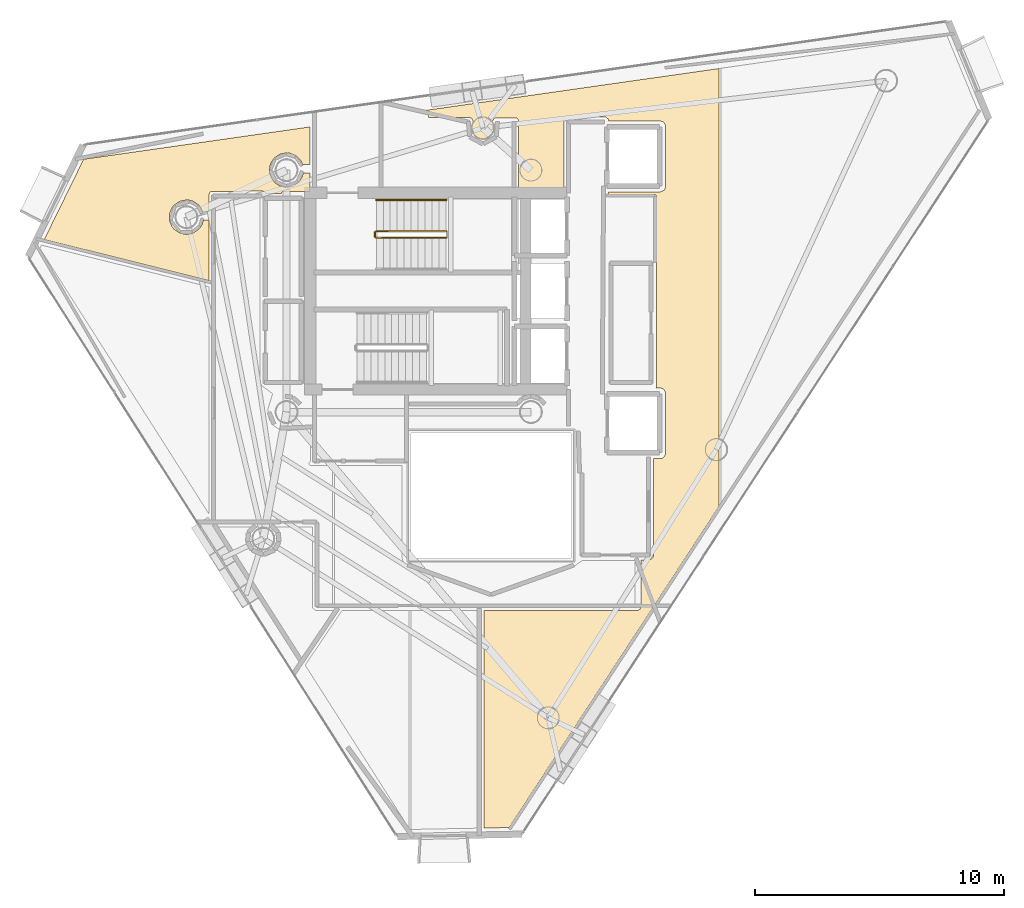
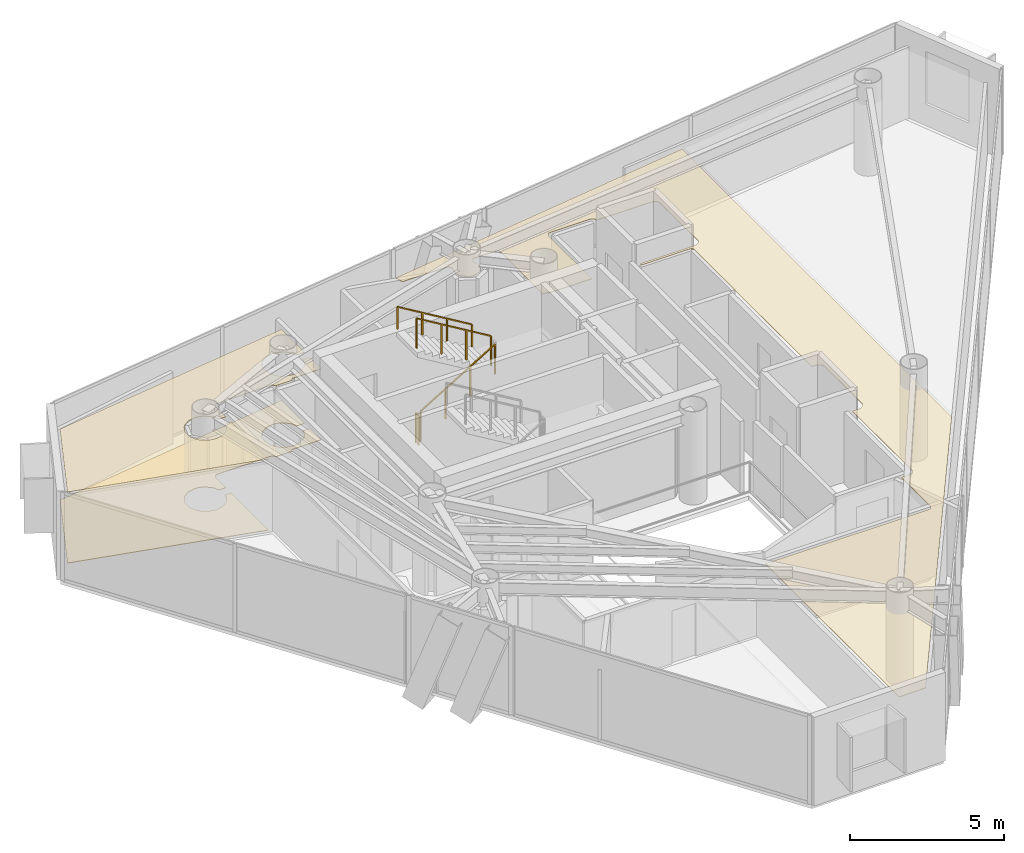
# One storey, part 24 of 25: 4 railings, 3 coverings.
"""IFC4 building model written with IfcOpenShell, lengths in metres."""

from ifc_helpers import new_model, si_unit, direction, frame, origin, origin_2d, place, context, subcontext, project, spatial, polyline, rectangle, outline, extrude, material, layer, layer_set, type_object, element, save


model = new_model("IFC4")

# Units and contexts
model_context = context("Model", 3, precision=1e-05, world=origin(), true_north=direction((0.0, 1.0)))
body_context = subcontext(model_context, "Body", "Model", "MODEL_VIEW")
ifc_project = project(units=[si_unit("LENGTHUNIT", "METRE"), si_unit("AREAUNIT", "SQUARE_METRE"), si_unit("VOLUMEUNIT", "CUBIC_METRE"), si_unit("PLANEANGLEUNIT", "RADIAN"), si_unit("MASSUNIT", "GRAM", prefix="KILO")], contexts=[model_context])

# Site, building, storey
site_placement = place(None, origin())
site = spatial("IfcSite", under=ifc_project, at=site_placement, CompositionType="ELEMENT")
building_placement = place(site_placement, origin())
building = spatial("IfcBuilding", under=site, at=building_placement, Name="Qianvela Tower", CompositionType="ELEMENT")
storey_placement = place(building_placement, frame((0.0, 0.0, 291.699951171875)))
storey = spatial("IfcBuildingStorey", under=building, at=storey_placement, Name="L75", CompositionType="ELEMENT", Elevation=291.699951171875)

# Coverings
ifc_material_1 = material(Name="Perforated Mineral Acoustic Ceiling Tile")
ifc_layer_1 = layer(ifc_material_1, 0.02490234375)
ifc_layer_set_1 = layer_set([ifc_layer_1], Name="Perforated Mineral Acoustic Ceiling Tile")
covering_type_1 = type_object("IfcCoveringType", Name="COV-CEIL-ACOUSTIC-25", PredefinedType="CEILING", material=ifc_layer_set_1)
covering_1_placement = place(storey_placement, frame((0.0, 0.0, 2.81494140625)))
element("IfcCovering", 1, at=covering_1_placement, inside=storey, type_object=covering_type_1, Name="L75 Acoustic Ceiling Bay 1 Campus Convenience Shop L75-03", PredefinedType="CEILING", context=body_context, shape_type="SweptSolid", body=[
    extrude(outline(polyline([(42.744384765625, 15.9228515625), (42.7509765625, 15.927001953125), (42.75732421875, 15.931640625), (42.76318359375, 15.93701171875), (42.768310546875, 15.942626953125), (42.773193359375, 15.948974609375), (42.777099609375, 15.955810546875), (42.780517578125, 15.962890625), (42.803955078125, 16.019287109375), (42.806640625, 16.02685546875), (42.80859375, 16.034423828125), (42.8095703125, 16.042236328125), (42.81005859375, 16.050048828125), (42.8076171875, 17.920166015625), (43.157958984375, 17.92041015625), (43.165771484375, 17.9208984375), (43.173583984375, 17.921875), (43.18115234375, 17.923828125), (43.1884765625, 17.926513671875), (43.195556640625, 17.9296875), (43.202392578125, 17.933837890625), (43.20849609375, 17.938720703125), (43.21435546875, 17.94384765625), (43.2861328125, 18.015625), (43.29150390625, 18.021484375), (43.296142578125, 18.027587890625), (43.30029296875, 18.034423828125), (43.303466796875, 18.04150390625), (43.30615234375, 18.048828125), (43.30810546875, 18.056640625), (43.30908203125, 18.064208984375), (43.3095703125, 18.072265625), (43.309326171875, 21.980712890625), (43.60791015625, 21.982666015625), (43.615478515625, 21.983154296875), (43.623291015625, 21.984375), (43.630859375, 21.986083984375), (43.637939453125, 21.98876953125), (43.64501953125, 21.9921875), (43.716796875, 22.030517578125), (43.723388671875, 22.034423828125), (43.729736328125, 22.039306640625), (43.735595703125, 22.04443359375), (43.74072265625, 22.05029296875), (43.74560546875, 22.056640625), (43.74951171875, 22.063232421875), (43.787841796875, 22.135009765625), (43.791259765625, 22.14208984375), (43.7939453125, 22.1494140625), (43.7958984375, 22.156982421875), (43.796875, 22.164794921875), (43.79736328125, 22.172607421875), (43.79931640625, 24.61376953125), (43.799072265625, 24.62060546875), (43.798095703125, 24.627685546875), (43.79638671875, 24.634765625), (43.79443359375, 24.641357421875), (43.79150390625, 24.64794921875), (43.751220703125, 24.733154296875), (43.74755859375, 24.739990234375), (43.743408203125, 24.74658203125), (43.73828125, 24.752685546875), (43.732666015625, 24.75830078125), (43.726806640625, 24.76318359375), (43.72021484375, 24.767578125), (43.713134765625, 24.771240234375), (43.6279296875, 24.8115234375), (43.619873046875, 24.81494140625), (43.611328125, 24.8173828125), (43.6025390625, 24.81884765625), (43.59375, 24.8193359375), (43.423828125, 24.8193359375), (43.423828125, 24.8193359375), (43.426513671875, 24.826904296875), (43.428466796875, 24.83447265625), (43.4296875, 24.84228515625), (43.429931640625, 24.85009765625), (43.429931640625, 32.5), (43.4296875, 32.5078125), (43.428466796875, 32.515625), (43.426513671875, 32.523193359375), (43.423828125, 32.530517578125), (43.420654296875, 32.53759765625), (43.41650390625, 32.54443359375), (43.411865234375, 32.55078125), (43.406494140625, 32.556640625), (43.40087890625, 32.561767578125), (43.394287109375, 32.56640625), (43.3876953125, 32.570556640625), (43.380615234375, 32.573974609375), (43.373291015625, 32.57666015625), (43.365478515625, 32.57861328125), (43.35791015625, 32.57958984375), (43.35009765625, 32.580078125), (41.52001953125, 32.580078125), (41.52001953125, 32.679931640625), (43.580078125, 32.679931640625), (43.587158203125, 32.680419921875), (43.593994140625, 32.68115234375), (43.60107421875, 32.682861328125), (43.607666015625, 32.684814453125), (43.6142578125, 32.687744140625), (43.722412109375, 32.739013671875), (43.729248046875, 32.74267578125), (43.73583984375, 32.746826171875), (43.741943359375, 32.751953125), (43.74755859375, 32.757568359375), (43.75244140625, 32.763427734375), (43.7568359375, 32.77001953125), (43.760498046875, 32.777099609375), (43.763427734375, 32.7841796875), (43.79541015625, 32.873046875), (43.79736328125, 32.879638671875), (43.798828125, 32.886474609375), (43.7998046875, 32.893310546875), (43.800048828125, 32.900390625), (43.789306640625, 35.35400390625), (43.788818359375, 35.36181640625), (43.787841796875, 35.369384765625), (43.785888671875, 35.376953125), (43.783203125, 35.38427734375), (43.77978515625, 35.391357421875), (43.77587890625, 35.398193359375), (43.771240234375, 35.404296875), (43.719482421875, 35.46728515625), (43.71435546875, 35.472900390625), (43.70849609375, 35.478271484375), (43.7021484375, 35.48291015625), (43.695556640625, 35.487060546875), (43.6884765625, 35.490234375), (43.680908203125, 35.492919921875), (43.603271484375, 35.5166015625), (43.595703125, 35.5185546875), (43.587890625, 35.51953125), (43.580078125, 35.52001953125), (41.515625, 35.52001953125), (41.513916015625, 35.554931640625), (41.512939453125, 35.562744140625), (41.511474609375, 35.5703125), (41.509033203125, 35.577880859375), (41.506103515625, 35.585205078125), (41.50244140625, 35.591796875), (41.498046875, 35.598388671875), (41.4931640625, 35.6044921875), (41.487548828125, 35.60986328125), (41.481689453125, 35.614990234375), (41.41552734375, 35.663818359375), (41.409423828125, 35.66796875), (41.40283203125, 35.67138671875), (41.396240234375, 35.67431640625), (41.38916015625, 35.6767578125), (41.382080078125, 35.67822265625), (41.374755859375, 35.67919921875), (41.367431640625, 35.6796875), (39.841796875, 35.670654296875), (39.83349609375, 35.670166015625), (39.825439453125, 35.668701171875), (39.817626953125, 35.666748046875), (39.81005859375, 35.663818359375), (39.802490234375, 35.659912109375), (39.795654296875, 35.655517578125), (39.789306640625, 35.650390625), (39.783447265625, 35.644775390625), (39.7783203125, 35.638427734375), (39.773681640625, 35.631591796875), (39.7314453125, 35.56103515625), (39.727294921875, 35.553466796875), (39.72412109375, 35.54541015625), (39.721923828125, 35.537109375), (39.720458984375, 35.528564453125), (39.719970703125, 35.52001953125), (39.719970703125, 32.719970703125), (38.129150390625, 32.719970703125), (38.068115234375, 32.756103515625), (38.060791015625, 32.760009765625), (38.052978515625, 32.76318359375), (38.044921875, 32.765380859375), (38.03662109375, 32.766845703125), (38.0283203125, 32.767333984375), (37.907470703125, 32.768798828125), (37.909912109375, 35.5), (37.90966796875, 35.507080078125), (37.90869140625, 35.513916015625), (37.9072265625, 35.52099609375), (37.905029296875, 35.527587890625), (37.90234375, 35.5341796875), (37.873046875, 35.595947265625), (37.869140625, 35.603271484375), (37.864501953125, 35.610107421875), (37.859375, 35.6162109375), (37.853515625, 35.6220703125), (37.84716796875, 35.626953125), (37.840087890625, 35.63134765625), (37.8330078125, 35.635009765625), (37.8251953125, 35.637939453125), (37.8173828125, 35.64013671875), (37.809326171875, 35.641357421875), (37.80126953125, 35.641845703125), (36.982421875, 35.64599609375), (36.974365234375, 35.645751953125), (36.96630859375, 35.64453125), (36.95849609375, 35.642578125), (36.950927734375, 35.639892578125), (36.94384765625, 35.636474609375), (36.93701171875, 35.63232421875), (36.930419921875, 35.62744140625), (36.9248046875, 35.6220703125), (36.919189453125, 35.615966796875), (36.914794921875, 35.609619140625), (36.91064453125, 35.6025390625), (36.875732421875, 35.5341796875), (36.87255859375, 35.527099609375), (36.8701171875, 35.51953125), (36.8681640625, 35.511962890625), (36.8671875, 35.504150390625), (36.866943359375, 35.49609375), (36.86767578125, 35.48828125), (36.868896484375, 35.48046875), (36.92431640625, 35.23291015625), (36.91748046875, 35.163330078125), (36.84765625, 34.99462890625), (36.72705078125, 34.874267578125), (36.4755859375, 34.796142578125), (36.305419921875, 34.830078125), (36.10302734375, 34.998291015625), (36.03466796875, 35.163330078125), (36.02783203125, 35.23291015625), (36.0830078125, 35.48046875), (36.08447265625, 35.48779296875), (36.0849609375, 35.4951171875), (36.0849609375, 35.502685546875), (36.083984375, 35.510009765625), (36.08251953125, 35.517333984375), (36.08056640625, 35.5244140625), (36.07763671875, 35.53125), (36.07421875, 35.537841796875), (36.03271484375, 35.610107421875), (36.028564453125, 35.61669921875), (36.02392578125, 35.62255859375), (36.0185546875, 35.6279296875), (36.012939453125, 35.633056640625), (36.0068359375, 35.637451171875), (36.000244140625, 35.64111328125), (35.993408203125, 35.644287109375), (35.986083984375, 35.64697265625), (35.978759765625, 35.648681640625), (35.97119140625, 35.64990234375), (35.9638671875, 35.650146484375), (34.30078125, 35.65966796875), (34.208740234375, 35.94921875), (45.9453125, 37.625244140625), (45.9453125, 20.068359375), (37.52587890625, 7.18603515625), (36.52294921875, 7.166748046875), (36.52294921875, 15.889892578125), (42.64990234375, 15.889892578125), (42.65771484375, 15.890380859375), (42.66552734375, 15.8916015625), (42.673095703125, 15.893310546875), (42.6806640625, 15.89599609375), (42.7373046875, 15.91943359375), (42.744384765625, 15.9228515625)])), origin(), (0.0, 0.0, 1.0), 0.025146484375),
])
covering_2_placement = place(storey_placement, frame((0.0, 0.0, 2.81494140625)))
element("IfcCovering", 2, at=covering_2_placement, inside=storey, type_object=covering_type_1, Name="L75 Acoustic Ceiling Student Bookshop Market L75-04", PredefinedType="CEILING", context=body_context, shape_type="SweptSolid", body=[
    extrude(outline(polyline([(29.5400390625, 32.699951171875), (28.47998046875, 32.699951171875), (28.47216796875, 32.69970703125), (28.464111328125, 32.698486328125), (28.45654296875, 32.696533203125), (28.44921875, 32.69384765625), (28.44189453125, 32.690185546875), (28.43505859375, 32.686279296875), (28.4287109375, 32.681396484375), (28.4228515625, 32.676025390625), (28.417724609375, 32.670166015625), (28.4130859375, 32.663818359375), (28.408935546875, 32.656982421875), (28.40576171875, 32.649658203125), (28.403076171875, 32.64208984375), (28.4013671875, 32.634521484375), (28.400390625, 32.62646484375), (28.39892578125, 32.609619140625), (27.7626953125, 32.607666015625), (27.759521484375, 32.6201171875), (27.757080078125, 32.62744140625), (27.754150390625, 32.634765625), (27.75048828125, 32.6416015625), (27.74609375, 32.648193359375), (27.7412109375, 32.654296875), (27.735595703125, 32.659912109375), (27.7294921875, 32.6650390625), (27.722900390625, 32.66943359375), (27.716064453125, 32.673095703125), (27.654296875, 32.702392578125), (27.647705078125, 32.705078125), (27.640625, 32.707275390625), (27.633544921875, 32.708740234375), (27.62646484375, 32.709716796875), (27.619384765625, 32.7099609375), (25.598388671875, 32.69189453125), (25.59033203125, 32.69140625), (25.58251953125, 32.68994140625), (25.574462890625, 32.68798828125), (25.56689453125, 32.68505859375), (25.5595703125, 32.681396484375), (25.552734375, 32.677001953125), (25.54638671875, 32.671875), (25.54052734375, 32.666259765625), (25.535400390625, 32.659912109375), (25.53076171875, 32.6533203125), (25.52685546875, 32.64599609375), (25.497802734375, 32.584228515625), (25.494384765625, 32.575927734375), (25.491943359375, 32.5673828125), (25.490478515625, 32.558837890625), (25.489990234375, 32.550048828125), (25.489990234375, 31.894775390625), (25.22802734375, 31.89404296875), (25.16748046875, 32.03369140625), (25.164306640625, 32.040283203125), (25.160400390625, 32.046630859375), (25.156005859375, 32.052490234375), (25.080078125, 32.14501953125), (25.074951171875, 32.15087890625), (25.069091796875, 32.15625), (25.062744140625, 32.160888671875), (24.864990234375, 32.293212890625), (24.858154296875, 32.297119140625), (24.85107421875, 32.300537109375), (24.84375, 32.302978515625), (24.729248046875, 32.337890625), (24.7216796875, 32.339599609375), (24.7138671875, 32.3408203125), (24.5947265625, 32.3525390625), (24.5869140625, 32.35302734375), (24.5791015625, 32.3525390625), (24.5712890625, 32.3515625), (24.337890625, 32.304931640625), (24.330322265625, 32.302978515625), (24.322998046875, 32.300537109375), (24.31591796875, 32.297119140625), (24.30908203125, 32.293212890625), (24.111083984375, 32.160888671875), (24.10498046875, 32.15625), (24.09912109375, 32.15087890625), (24.09375, 32.14501953125), (24.01806640625, 32.052490234375), (24.01318359375, 32.04638671875), (24.00927734375, 32.03955078125), (24.005859375, 32.032470703125), (23.914794921875, 31.8125), (23.912109375, 31.80517578125), (23.910400390625, 31.797607421875), (23.9091796875, 31.789794921875), (23.90869140625, 31.781982421875), (23.90869140625, 31.5439453125), (23.9091796875, 31.5361328125), (23.910400390625, 31.5283203125), (23.912109375, 31.520751953125), (23.914794921875, 31.513427734375), (24.005859375, 31.29345703125), (24.00927734375, 31.286376953125), (24.01318359375, 31.27978515625), (24.01806640625, 31.2734375), (24.09375, 31.180908203125), (24.09912109375, 31.175048828125), (24.10498046875, 31.169921875), (24.111083984375, 31.1650390625), (24.30908203125, 31.032958984375), (24.31591796875, 31.02880859375), (24.322998046875, 31.025390625), (24.330322265625, 31.02294921875), (24.337890625, 31.02099609375), (24.5712890625, 30.974609375), (24.5791015625, 30.973388671875), (24.5869140625, 30.972900390625), (24.5947265625, 30.973388671875), (24.6025390625, 30.974609375), (24.8359375, 31.02099609375), (24.84375, 31.02294921875), (24.85107421875, 31.025390625), (24.858154296875, 31.02880859375), (24.864990234375, 31.032958984375), (25.062744140625, 31.1650390625), (25.069091796875, 31.169921875), (25.074951171875, 31.175048828125), (25.080078125, 31.180908203125), (25.156005859375, 31.2734375), (25.16064453125, 31.27978515625), (25.164794921875, 31.286376953125), (25.22119140625, 31.391845703125), (25.224365234375, 31.398681640625), (25.226806640625, 31.405517578125), (25.228759765625, 31.412841796875), (25.2587890625, 31.55419921875), (25.489990234375, 31.5546875), (25.489990234375, 29.1201171875), (18.885498046875, 30.766845703125), (20.465087890625, 33.986572265625), (29.5400390625, 35.282470703125), (29.5400390625, 33.781982421875), (29.2412109375, 33.781005859375), (29.1806640625, 33.920654296875), (29.17724609375, 33.927490234375), (29.17333984375, 33.933837890625), (29.168701171875, 33.93994140625), (29.163818359375, 33.945556640625), (28.99560546875, 34.11376953125), (28.989501953125, 34.118896484375), (28.9833984375, 34.123779296875), (28.9765625, 34.127685546875), (28.969482421875, 34.131103515625), (28.74951171875, 34.22216796875), (28.7421875, 34.224853515625), (28.734619140625, 34.226806640625), (28.726806640625, 34.227783203125), (28.60791015625, 34.239501953125), (28.60009765625, 34.239990234375), (28.59228515625, 34.239501953125), (28.58447265625, 34.238525390625), (28.35107421875, 34.19189453125), (28.34326171875, 34.190185546875), (28.3359375, 34.1875), (28.328857421875, 34.18408203125), (28.322021484375, 34.18017578125), (28.124267578125, 34.0478515625), (28.117919921875, 34.043212890625), (28.112060546875, 34.037841796875), (28.106689453125, 34.031982421875), (28.10205078125, 34.02587890625), (27.969970703125, 33.827880859375), (27.9658203125, 33.821044921875), (27.96240234375, 33.814208984375), (27.9599609375, 33.806640625), (27.9580078125, 33.799072265625), (27.91162109375, 33.565673828125), (27.910400390625, 33.557861328125), (27.909912109375, 33.550048828125), (27.910400390625, 33.542236328125), (27.91162109375, 33.534423828125), (27.9580078125, 33.301025390625), (27.9599609375, 33.293212890625), (27.96240234375, 33.285888671875), (27.9658203125, 33.27880859375), (27.969970703125, 33.272216796875), (28.10205078125, 33.07421875), (28.106689453125, 33.06787109375), (28.112060546875, 33.06201171875), (28.117919921875, 33.056884765625), (28.124267578125, 33.052001953125), (28.322021484375, 32.919921875), (28.328857421875, 32.916015625), (28.3359375, 32.91259765625), (28.34326171875, 32.909912109375), (28.35107421875, 32.907958984375), (28.58447265625, 32.861572265625), (28.59228515625, 32.8603515625), (28.60009765625, 32.860107421875), (28.60791015625, 32.8603515625), (28.615478515625, 32.861572265625), (28.84912109375, 32.907958984375), (28.856689453125, 32.909912109375), (28.864013671875, 32.91259765625), (28.87109375, 32.916015625), (28.8779296875, 32.919921875), (29.07568359375, 33.052001953125), (29.08203125, 33.056884765625), (29.087890625, 33.06201171875), (29.09326171875, 33.06787109375), (29.097900390625, 33.07421875), (29.22998046875, 33.272216796875), (29.23388671875, 33.278564453125), (29.2373046875, 33.285400390625), (29.239990234375, 33.29248046875), (29.24169921875, 33.2998046875), (29.27197265625, 33.441162109375), (29.5400390625, 33.44189453125), (29.5400390625, 32.699951171875)])), origin(), (0.0, 0.0, 1.0), 0.025146484375),
])
ifc_material_2 = material(Name="Engineered Acoustic Oak Timber Flooring", Category="wood")
ifc_layer_2 = layer(ifc_material_2, 0.02001953125)
ifc_layer_set_2 = layer_set([ifc_layer_2], Name="Engineered Acoustic Oak Timber Flooring")
covering_type_2 = type_object("IfcCoveringType", Name="COV-FLOOR-OAK-20", PredefinedType="FLOORING", material=ifc_layer_set_2)
covering_3_placement = place(storey_placement, origin())
element("IfcCovering", 3, at=covering_3_placement, inside=storey, type_object=covering_type_2, Name="L75 Finish Flooring Student Bookshop Market L75-04", PredefinedType="FLOORING", context=body_context, shape_type="SweptSolid", body=[
    extrude(outline(polyline([(29.5400390625, 32.699951171875), (28.47998046875, 32.699951171875), (28.47216796875, 32.69970703125), (28.464111328125, 32.698486328125), (28.45654296875, 32.696533203125), (28.44921875, 32.69384765625), (28.44189453125, 32.690185546875), (28.43505859375, 32.686279296875), (28.4287109375, 32.681396484375), (28.4228515625, 32.676025390625), (28.417724609375, 32.670166015625), (28.4130859375, 32.663818359375), (28.408935546875, 32.656982421875), (28.40576171875, 32.649658203125), (28.403076171875, 32.64208984375), (28.4013671875, 32.634521484375), (28.400390625, 32.62646484375), (28.39892578125, 32.609619140625), (27.7626953125, 32.607666015625), (27.759521484375, 32.6201171875), (27.757080078125, 32.62744140625), (27.754150390625, 32.634765625), (27.75048828125, 32.6416015625), (27.74609375, 32.648193359375), (27.7412109375, 32.654296875), (27.735595703125, 32.659912109375), (27.7294921875, 32.6650390625), (27.722900390625, 32.66943359375), (27.716064453125, 32.673095703125), (27.654296875, 32.702392578125), (27.647705078125, 32.705078125), (27.640625, 32.707275390625), (27.633544921875, 32.708740234375), (27.62646484375, 32.709716796875), (27.619384765625, 32.7099609375), (25.598388671875, 32.69189453125), (25.59033203125, 32.69140625), (25.58251953125, 32.68994140625), (25.574462890625, 32.68798828125), (25.56689453125, 32.68505859375), (25.5595703125, 32.681396484375), (25.552734375, 32.677001953125), (25.54638671875, 32.671875), (25.54052734375, 32.666259765625), (25.535400390625, 32.659912109375), (25.53076171875, 32.6533203125), (25.52685546875, 32.64599609375), (25.497802734375, 32.584228515625), (25.494384765625, 32.575927734375), (25.491943359375, 32.5673828125), (25.490478515625, 32.558837890625), (25.489990234375, 32.550048828125), (25.489990234375, 31.894775390625), (25.22802734375, 31.89404296875), (25.16748046875, 32.03369140625), (25.164306640625, 32.040283203125), (25.160400390625, 32.046630859375), (25.156005859375, 32.052490234375), (25.080078125, 32.14501953125), (25.074951171875, 32.15087890625), (25.069091796875, 32.15625), (25.062744140625, 32.160888671875), (24.864990234375, 32.293212890625), (24.858154296875, 32.297119140625), (24.85107421875, 32.300537109375), (24.84375, 32.302978515625), (24.729248046875, 32.337890625), (24.7216796875, 32.339599609375), (24.7138671875, 32.3408203125), (24.5947265625, 32.3525390625), (24.5869140625, 32.35302734375), (24.5791015625, 32.3525390625), (24.5712890625, 32.3515625), (24.337890625, 32.304931640625), (24.330322265625, 32.302978515625), (24.322998046875, 32.300537109375), (24.31591796875, 32.297119140625), (24.30908203125, 32.293212890625), (24.111083984375, 32.160888671875), (24.10498046875, 32.15625), (24.09912109375, 32.15087890625), (24.09375, 32.14501953125), (24.01806640625, 32.052490234375), (24.01318359375, 32.04638671875), (24.00927734375, 32.03955078125), (24.005859375, 32.032470703125), (23.914794921875, 31.8125), (23.912109375, 31.80517578125), (23.910400390625, 31.797607421875), (23.9091796875, 31.789794921875), (23.90869140625, 31.781982421875), (23.90869140625, 31.5439453125), (23.9091796875, 31.5361328125), (23.910400390625, 31.5283203125), (23.912109375, 31.520751953125), (23.914794921875, 31.513427734375), (24.005859375, 31.29345703125), (24.00927734375, 31.286376953125), (24.01318359375, 31.27978515625), (24.01806640625, 31.2734375), (24.09375, 31.180908203125), (24.09912109375, 31.175048828125), (24.10498046875, 31.169921875), (24.111083984375, 31.1650390625), (24.30908203125, 31.032958984375), (24.31591796875, 31.02880859375), (24.322998046875, 31.025390625), (24.330322265625, 31.02294921875), (24.337890625, 31.02099609375), (24.5712890625, 30.974609375), (24.5791015625, 30.973388671875), (24.5869140625, 30.972900390625), (24.5947265625, 30.973388671875), (24.6025390625, 30.974609375), (24.8359375, 31.02099609375), (24.84375, 31.02294921875), (24.85107421875, 31.025390625), (24.858154296875, 31.02880859375), (24.864990234375, 31.032958984375), (25.062744140625, 31.1650390625), (25.069091796875, 31.169921875), (25.074951171875, 31.175048828125), (25.080078125, 31.180908203125), (25.156005859375, 31.2734375), (25.16064453125, 31.27978515625), (25.164794921875, 31.286376953125), (25.22119140625, 31.391845703125), (25.224365234375, 31.398681640625), (25.226806640625, 31.405517578125), (25.228759765625, 31.412841796875), (25.2587890625, 31.55419921875), (25.489990234375, 31.5546875), (25.489990234375, 29.1201171875), (18.885498046875, 30.766845703125), (20.465087890625, 33.986572265625), (29.5400390625, 35.282470703125), (29.5400390625, 33.781982421875), (29.2412109375, 33.781005859375), (29.1806640625, 33.920654296875), (29.17724609375, 33.927490234375), (29.17333984375, 33.933837890625), (29.168701171875, 33.93994140625), (29.163818359375, 33.945556640625), (28.99560546875, 34.11376953125), (28.989501953125, 34.118896484375), (28.9833984375, 34.123779296875), (28.9765625, 34.127685546875), (28.969482421875, 34.131103515625), (28.74951171875, 34.22216796875), (28.7421875, 34.224853515625), (28.734619140625, 34.226806640625), (28.726806640625, 34.227783203125), (28.60791015625, 34.239501953125), (28.60009765625, 34.239990234375), (28.59228515625, 34.239501953125), (28.58447265625, 34.238525390625), (28.35107421875, 34.19189453125), (28.34326171875, 34.190185546875), (28.3359375, 34.1875), (28.328857421875, 34.18408203125), (28.322021484375, 34.18017578125), (28.124267578125, 34.0478515625), (28.117919921875, 34.043212890625), (28.112060546875, 34.037841796875), (28.106689453125, 34.031982421875), (28.10205078125, 34.02587890625), (27.969970703125, 33.827880859375), (27.9658203125, 33.821044921875), (27.96240234375, 33.814208984375), (27.9599609375, 33.806640625), (27.9580078125, 33.799072265625), (27.91162109375, 33.565673828125), (27.910400390625, 33.557861328125), (27.909912109375, 33.550048828125), (27.910400390625, 33.542236328125), (27.91162109375, 33.534423828125), (27.9580078125, 33.301025390625), (27.9599609375, 33.293212890625), (27.96240234375, 33.285888671875), (27.9658203125, 33.27880859375), (27.969970703125, 33.272216796875), (28.10205078125, 33.07421875), (28.106689453125, 33.06787109375), (28.112060546875, 33.06201171875), (28.117919921875, 33.056884765625), (28.124267578125, 33.052001953125), (28.322021484375, 32.919921875), (28.328857421875, 32.916015625), (28.3359375, 32.91259765625), (28.34326171875, 32.909912109375), (28.35107421875, 32.907958984375), (28.58447265625, 32.861572265625), (28.59228515625, 32.8603515625), (28.60009765625, 32.860107421875), (28.60791015625, 32.8603515625), (28.615478515625, 32.861572265625), (28.84912109375, 32.907958984375), (28.856689453125, 32.909912109375), (28.864013671875, 32.91259765625), (28.87109375, 32.916015625), (28.8779296875, 32.919921875), (29.07568359375, 33.052001953125), (29.08203125, 33.056884765625), (29.087890625, 33.06201171875), (29.09326171875, 33.06787109375), (29.097900390625, 33.07421875), (29.22998046875, 33.272216796875), (29.23388671875, 33.278564453125), (29.2373046875, 33.285400390625), (29.239990234375, 33.29248046875), (29.24169921875, 33.2998046875), (29.27197265625, 33.441162109375), (29.5400390625, 33.44189453125), (29.5400390625, 32.699951171875)])), origin(), (0.0, 0.0, 1.0), 0.02001953125),
])

# Railings
ifc_material_3 = material(Name="Painted Tubular Steel Q355B", Category="steel")
railing_type_1 = type_object("IfcRailingType", Name="RL-STAIR-GUARD-1200", PredefinedType="GUARDRAIL", material=ifc_material_3)
railing_1_placement = place(storey_placement, frame((32.199951171875, 30.840087890625, 0.168212890625)))
element("IfcRailing", 4, at=railing_1_placement, inside=storey, type_object=railing_type_1, Name="L75 ST-1 stair guard 1", PredefinedType="GUARDRAIL", context=body_context, shape_type="SweptSolid", body=[
    extrude(rectangle(XDim=0.050048828125, YDim=0.0400390625, at=origin_2d()), frame((0.0, 0.0, 1.179931640625), z_axis=(0.857242210791, 0.0, 0.514913383045), x_axis=(0.0, 1.0, 0.0)), (0.0, 0.0, 1.0), 3.266357421875),
    extrude(rectangle(XDim=0.050048828125, YDim=0.050048828125, at=origin_2d()), origin(), (0.0, 0.0, 1.0), 1.159912109375),
    extrude(rectangle(XDim=0.050048828125, YDim=0.050048828125, at=origin_2d()), frame((0.933349609375, 0.0, 0.560546875)), (0.0, 0.0, 1.0), 1.159912109375),
    extrude(rectangle(XDim=0.050048828125, YDim=0.050048828125, at=origin_2d()), frame((1.86669921875, 0.0, 1.121337890625)), (0.0, 0.0, 1.0), 1.159912109375),
    extrude(rectangle(XDim=0.050048828125, YDim=0.050048828125, at=origin_2d()), frame((2.800048828125, 0.0, 1.681884765625)), (0.0, 0.0, 1.0), 1.159912109375),
])
railing_2_placement = place(storey_placement, frame((35.0, 31.10009765625, 2.018310546875)))
element("IfcRailing", 5, at=railing_2_placement, inside=storey, type_object=railing_type_1, Name="L75 ST-1 stair guard 3", PredefinedType="GUARDRAIL", context=body_context, shape_type="SweptSolid", body=[
    extrude(rectangle(XDim=0.050048828125, YDim=0.0400390625, at=origin_2d()), frame((0.0, 0.0, 1.179931640625), z_axis=(-0.857275202839, 0.0, 0.514858452973), x_axis=(0.0, -1.0, 0.0)), (0.0, 0.0, 1.0), 3.26611328125),
    extrude(rectangle(XDim=0.050048828125, YDim=0.050048828125, at=origin_2d()), origin(), (0.0, 0.0, 1.0), 1.159912109375),
    extrude(rectangle(XDim=0.050048828125, YDim=0.050048828125, at=origin_2d()), frame((-0.933349609375, 0.0, 0.560546875)), (0.0, 0.0, 1.0), 1.159912109375),
    extrude(rectangle(XDim=0.050048828125, YDim=0.050048828125, at=origin_2d()), frame((-1.86669921875, 0.0, 1.12109375)), (0.0, 0.0, 1.0), 1.159912109375),
    extrude(rectangle(XDim=0.050048828125, YDim=0.050048828125, at=origin_2d()), frame((-2.800048828125, 0.0, 1.681640625)), (0.0, 0.0, 1.0), 1.159912109375),
])
railing_3_placement = place(storey_placement, frame((32.14990234375, 30.889892578125, 0.0)))
element("IfcRailing", 6, at=railing_3_placement, inside=storey, type_object=railing_type_1, Name="L75 ST-1 stair guard 4", PredefinedType="GUARDRAIL", context=body_context, shape_type="SweptSolid", body=[
    extrude(rectangle(XDim=0.050048828125, YDim=0.0400390625, at=origin_2d()), frame((0.0, 0.0, 1.179931640625), z_axis=(0.0, 1.0, 0.0), x_axis=(-1.0, 0.0, 0.0)), (0.0, 0.0, 1.0), 0.16015625),
    extrude(rectangle(XDim=0.050048828125, YDim=0.050048828125, at=origin_2d()), origin(), (0.0, 0.0, 1.0), 1.159912109375),
    extrude(rectangle(XDim=0.050048828125, YDim=0.050048828125, at=origin_2d()), frame((0.0, 0.16015625, 0.0)), (0.0, 0.0, 1.0), 1.159912109375),
])
ifc_material_4 = material(Name="Brushed Stainless Steel 304", Category="steel")
railing_type_2 = type_object("IfcRailingType", Name="RL-STAIR-HANDRAIL-900", PredefinedType="HANDRAIL", material=ifc_material_4)
railing_4_placement = place(storey_placement, frame((35.0, 32.35009765625, 2.018310546875)))
element("IfcRailing", 7, at=railing_4_placement, inside=storey, type_object=railing_type_2, Name="L75 ST-1 stair handrail 2", PredefinedType="HANDRAIL", context=body_context, shape_type="SweptSolid", body=[
    extrude(rectangle(XDim=0.050048828125, YDim=0.0400390625, at=origin_2d()), frame((0.0, 0.0, 0.8798828125), z_axis=(-0.857275202839, 0.0, 0.514858452973), x_axis=(0.0, -1.0, 0.0)), (0.0, 0.0, 1.0), 3.26611328125),
    extrude(rectangle(XDim=0.050048828125, YDim=0.050048828125, at=origin_2d()), origin(), (0.0, 0.0, 1.0), 0.85986328125),
    extrude(rectangle(XDim=0.050048828125, YDim=0.050048828125, at=origin_2d()), frame((-0.933349609375, 0.0, 0.560546875)), (0.0, 0.0, 1.0), 0.85986328125),
    extrude(rectangle(XDim=0.050048828125, YDim=0.050048828125, at=origin_2d()), frame((-1.86669921875, 0.0, 1.12109375)), (0.0, 0.0, 1.0), 0.85986328125),
    extrude(rectangle(XDim=0.050048828125, YDim=0.050048828125, at=origin_2d()), frame((-2.800048828125, 0.0, 1.681640625)), (0.0, 0.0, 1.0), 0.85986328125),
])

save(model, "model.ifc")
